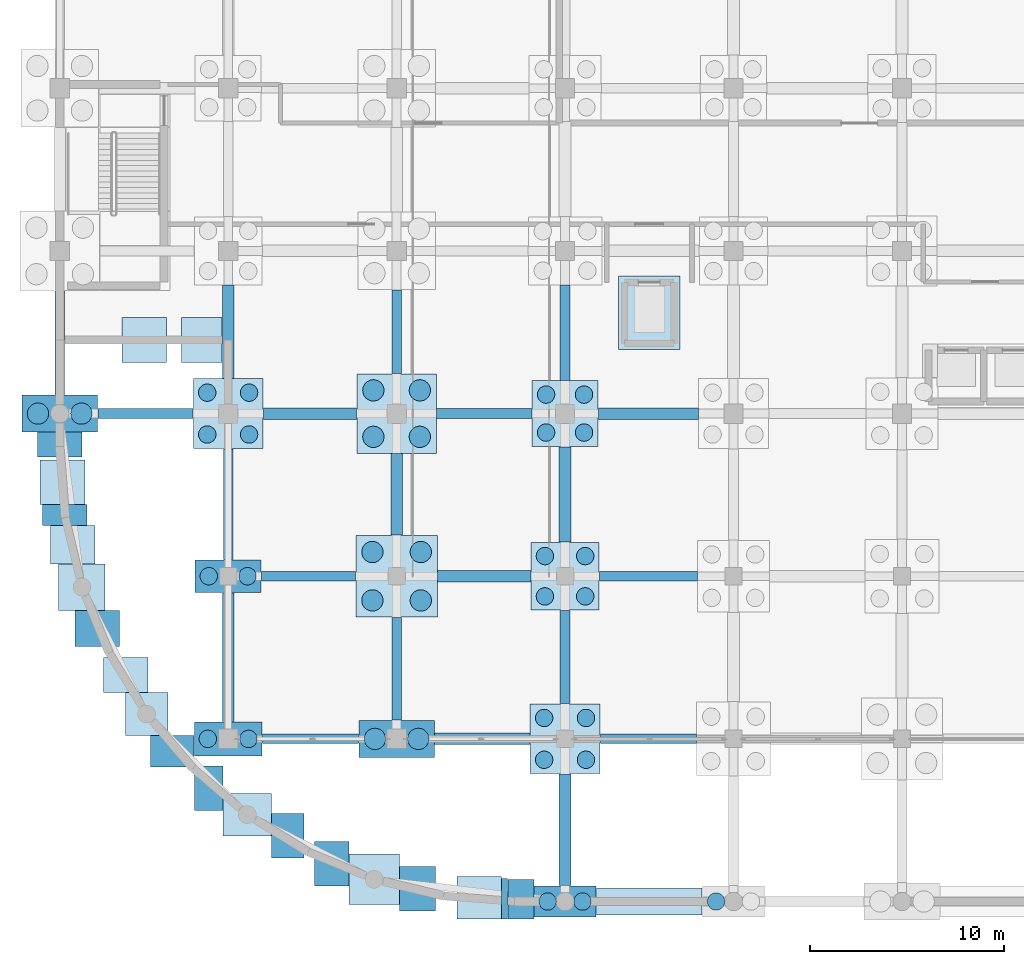
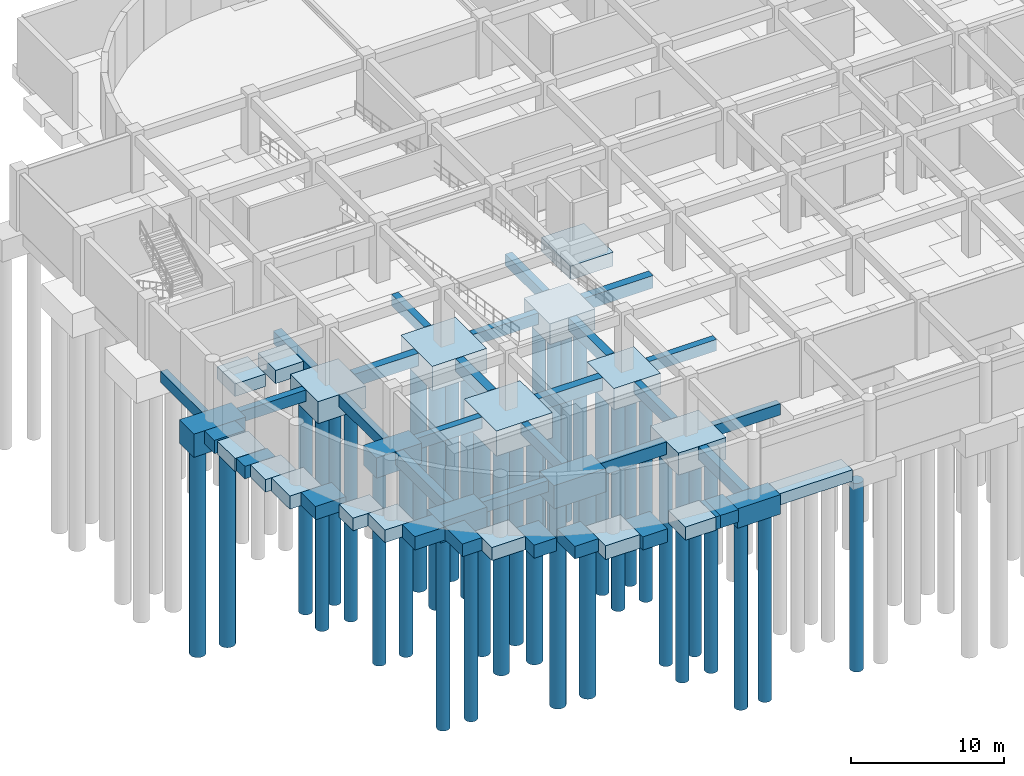
# One storey, part 1 of 33: 54 footings, 35 piles.
"""IFC4 building model written with IfcOpenShell, lengths in metres."""

from ifc_helpers import new_model, si_unit, derived_unit, direction, frame, origin, origin_2d, place, context, subcontext, project, spatial, rectangle, circle, extrude, material, material_profile, profile_set, type_object, element, save


model = new_model("IFC4")

# Units and contexts
model_context = context("Model", 3, precision=1e-05, world=origin(), true_north=direction((0.0, 1.0)))
body_context = subcontext(model_context, "Body", "Model", "MODEL_VIEW")
ifc_project = project(units=[si_unit("LENGTHUNIT", "METRE"), si_unit("AREAUNIT", "SQUARE_METRE"), si_unit("VOLUMEUNIT", "CUBIC_METRE"), si_unit("PLANEANGLEUNIT", "RADIAN"), si_unit("MASSUNIT", "GRAM", prefix="KILO"), derived_unit("THERMALTRANSMITTANCEUNIT", [(si_unit("MASSUNIT", "GRAM", prefix="KILO"), 1), (si_unit("TIMEUNIT", "SECOND"), -3), (si_unit("THERMODYNAMICTEMPERATUREUNIT", "KELVIN"), -1)])], contexts=[model_context])

# Site, building, storey
site_placement = place(None, origin())
site = spatial("IfcSite", under=ifc_project, at=site_placement, CompositionType="ELEMENT")
building_placement = place(site_placement, origin())
building = spatial("IfcBuilding", under=site, at=building_placement, Name="Qinzheling Arcade Emporium", CompositionType="ELEMENT")
storey_placement = place(building_placement, frame((0.0, 0.0, -9.60009765625)))
storey = spatial("IfcBuildingStorey", under=building, at=storey_placement, Name="B2", CompositionType="ELEMENT", Elevation=-9.60009765625)

# Footings
ifc_material = material(Name="Concrete C40", Category="concrete")
footing_type_1 = type_object("IfcFootingType", Name="Arcade Pad Footing 2400x2400x1050 C40", PredefinedType="PAD_FOOTING", material=ifc_material)
footing_1_placement = place(storey_placement, frame((1.14990234375, 16.238037109375, -1.0498046875), z_axis=(0.0, 0.0, 1.0), x_axis=(1.0, 0.0, 0.0)))
element("IfcFooting", 1, at=footing_1_placement, inside=storey, type_object=footing_type_1, Name="Curved Arcade Pad Footing FND-PF-CV-CV1-01", PredefinedType="PAD_FOOTING", context=body_context, shape_type="SweptSolid", body=[
    extrude(rectangle(XDim=2.39990234375, YDim=2.39990234375, at=origin_2d()), origin(), (0.0, 0.0, 1.0), 1.050048828125),
])
footing_2_placement = place(storey_placement, frame((21.662109375, 0.197021484375, -1.0498046875), z_axis=(0.0, 0.0, 1.0), x_axis=(1.0, 0.0, 0.0)))
element("IfcFooting", 2, at=footing_2_placement, inside=storey, type_object=footing_type_1, Name="Retaining Wall Pad Footing FND-PF-RW-009", PredefinedType="PAD_FOOTING", context=body_context, shape_type="SweptSolid", body=[
    extrude(rectangle(XDim=2.300048828125, YDim=2.194091796875, at=origin_2d()), origin(), (0.0, 0.0, 1.0), 1.050048828125),
])
footing_3_placement = place(storey_placement, frame((18.47900390625, 0.6640625, -1.0498046875), z_axis=(0.0, 0.0, 1.0), x_axis=(1.0, 0.0, 0.0)))
element("IfcFooting", 3, at=footing_3_placement, inside=storey, type_object=footing_type_1, Name="Retaining Wall Pad Footing FND-PF-RW-011", PredefinedType="PAD_FOOTING", context=body_context, shape_type="SweptSolid", body=[
    extrude(rectangle(XDim=1.868896484375, YDim=2.300048828125, at=origin_2d()), origin(), (0.0, 0.0, 1.0), 1.050048828125),
])
footing_4_placement = place(storey_placement, frame((11.777099609375, 3.39990234375, -1.0498046875), z_axis=(0.0, 0.0, 1.0), x_axis=(1.0, 0.0, 0.0)))
element("IfcFooting", 4, at=footing_4_placement, inside=storey, type_object=footing_type_1, Name="Retaining Wall Pad Footing FND-PF-RW-013", PredefinedType="PAD_FOOTING", context=body_context, shape_type="SweptSolid", body=[
    extrude(rectangle(XDim=1.6689453125, YDim=2.300048828125, at=origin_2d()), origin(), (0.0, 0.0, 1.0), 1.050048828125),
])
footing_5_placement = place(storey_placement, frame((5.81689453125, 7.76806640625, -1.0498046875), z_axis=(0.0, 0.0, 1.0), x_axis=(1.0, 0.0, 0.0)))
element("IfcFooting", 5, at=footing_5_placement, inside=storey, type_object=footing_type_1, Name="Retaining Wall Pad Footing FND-PF-RW-015", PredefinedType="PAD_FOOTING", context=body_context, shape_type="SweptSolid", body=[
    extrude(rectangle(XDim=2.2529296875, YDim=1.626953125, at=origin_2d()), origin(), (0.0, 0.0, 1.0), 1.050048828125),
])
footing_6_placement = place(storey_placement, frame((1.947021484375, 14.097900390625, -1.0498046875), z_axis=(0.0, 0.0, 1.0), x_axis=(1.0, 0.0, 0.0)))
element("IfcFooting", 6, at=footing_6_placement, inside=storey, type_object=footing_type_1, Name="Retaining Wall Pad Footing FND-PF-RW-017", PredefinedType="PAD_FOOTING", context=body_context, shape_type="SweptSolid", body=[
    extrude(rectangle(XDim=2.300048828125, YDim=1.867919921875, at=origin_2d()), origin(), (0.0, 0.0, 1.0), 1.050048828125),
])
footing_7_placement = place(storey_placement, frame((0.14501953125, 21.662109375, -1.0498046875), z_axis=(0.0, 0.0, 1.0), x_axis=(1.0, 0.0, 0.0)))
element("IfcFooting", 7, at=footing_7_placement, inside=storey, type_object=footing_type_1, Name="Retaining Wall Pad Footing FND-PF-RW-019", PredefinedType="PAD_FOOTING", context=body_context, shape_type="SweptSolid", body=[
    extrude(rectangle(XDim=2.299072265625, YDim=2.300048828125, at=origin_2d()), origin(), (0.0, 0.0, 1.0), 1.050048828125),
])
footing_8_placement = place(storey_placement, frame((0.0, 23.60302734375, -1.0498046875), z_axis=(0.0, 0.0, 1.0), x_axis=(1.0, 0.0, 0.0)))
element("IfcFooting", 8, at=footing_8_placement, inside=storey, type_object=footing_type_1, Name="Retaining Wall Pad Footing FND-PF-RW-021", PredefinedType="PAD_FOOTING", context=body_context, shape_type="SweptSolid", body=[
    extrude(rectangle(XDim=2.300048828125, YDim=1.281982421875, at=origin_2d()), origin(), (0.0, 0.0, 1.0), 1.050048828125),
])
footing_9_placement = place(storey_placement, frame((7.337890625, 29.0, -1.0498046875), z_axis=(0.0, 0.0, 1.0), x_axis=(1.0, 0.0, 0.0)))
element("IfcFooting", 9, at=footing_9_placement, inside=storey, type_object=footing_type_1, Name="Retaining Wall Pad Footing FND-PF-RW-077", PredefinedType="PAD_FOOTING", context=body_context, shape_type="SweptSolid", body=[
    extrude(rectangle(XDim=2.113037109375, YDim=2.300048828125, at=origin_2d()), origin(), (0.0, 0.0, 1.0), 1.050048828125),
])
footing_type_2 = type_object("IfcFootingType", Name="Canopy Pad Footing 2600x2600x1100 C40", PredefinedType="PAD_FOOTING", material=ifc_material)
footing_10_placement = place(storey_placement, frame((16.238037109375, 1.14990234375, -1.099853515625), z_axis=(0.0, 0.0, 1.0), x_axis=(1.0, 0.0, 0.0)))
element("IfcFooting", 10, at=footing_10_placement, inside=storey, type_object=footing_type_2, Name="Curved Arcade Pad Footing FND-PF-CV-CV1-04", PredefinedType="PAD_FOOTING", context=body_context, shape_type="SweptSolid", body=[
    extrude(rectangle(XDim=2.60009765625, YDim=2.60009765625, at=origin_2d()), origin(), (0.0, 0.0, 1.0), 1.10009765625),
])
footing_11_placement = place(storey_placement, frame((30.449951171875, 30.39990234375, -1.099853515625), z_axis=(0.0, 0.0, 1.0), x_axis=(1.0, 0.0, 0.0)))
element("IfcFooting", 11, at=footing_11_placement, inside=storey, type_object=footing_type_2, Name="Lift Pit Mat Pad FND-PF-LF-LF02", PredefinedType="PAD_FOOTING", context=body_context, shape_type="SweptSolid", body=[
    extrude(rectangle(XDim=3.196044921875, YDim=3.7958984375, at=origin_2d()), origin(), (0.0, 0.0, 1.0), 1.10009765625),
])
footing_type_3 = type_object("IfcFootingType", Name="Core Strip Footing 1400x900 C40", PredefinedType="STRIP_FOOTING", material=ifc_material)
footing_12_placement = place(storey_placement, frame((30.449951171875, 0.0, -0.89990234375), z_axis=(0.0, 0.0, 1.0), x_axis=(1.0, 0.0, 0.0)))
element("IfcFooting", 12, at=footing_12_placement, inside=storey, type_object=footing_type_3, Name="Foundation Tie FND-SF-001", PredefinedType="STRIP_FOOTING", context=body_context, shape_type="SweptSolid", body=[
    extrude(rectangle(XDim=5.4599609375, YDim=1.39990234375, at=origin_2d()), origin(), (0.0, 0.0, 1.0), 0.89990234375),
])
footing_type_4 = type_object("IfcFootingType", Name="Foundation Tie Beam 500x900 C40", PredefinedType="FOOTING_BEAM", material=ifc_material)
for number, where, z_axis, x_axis, name in (
    (13, (12.949951171875, 8.39990234375, -0.89990234375), (0.0, 0.0, 1.0), (1.0, 0.0, 0.0), "Foundation Tie FND-FB-005"),
    (14, (30.39990234375, 8.39990234375, -0.89990234375), (0.0, 0.0, 1.0), (1.0, 0.0, 0.0), "Foundation Tie FND-FB-007"),
):
    element("IfcFooting", number, at=place(storey_placement, frame(where, z_axis=z_axis, x_axis=x_axis)), inside=storey, type_object=footing_type_4, Name=name, PredefinedType="FOOTING_BEAM", context=body_context, shape_type="SweptSolid", body=[
        extrude(rectangle(XDim=4.9599609375, YDim=0.5, at=origin_2d()), origin(), (0.0, 0.0, 1.0), 0.89990234375),
    ])
footing_13_placement = place(storey_placement, frame((12.85009765625, 16.800048828125, -0.89990234375), z_axis=(0.0, 0.0, 1.0), x_axis=(1.0, 0.0, 0.0)))
element("IfcFooting", 15, at=footing_13_placement, inside=storey, type_object=footing_type_4, Name="Foundation Tie FND-FB-019", PredefinedType="FOOTING_BEAM", context=body_context, shape_type="SweptSolid", body=[
    extrude(rectangle(XDim=4.860107421875, YDim=0.5, at=origin_2d()), origin(), (0.0, 0.0, 1.0), 0.89990234375),
])
footing_14_placement = place(storey_placement, frame((30.39990234375, 16.800048828125, -0.89990234375), z_axis=(0.0, 0.0, 1.0), x_axis=(1.0, 0.0, 0.0)))
element("IfcFooting", 16, at=footing_14_placement, inside=storey, type_object=footing_type_4, Name="Foundation Tie FND-FB-021", PredefinedType="FOOTING_BEAM", context=body_context, shape_type="SweptSolid", body=[
    extrude(rectangle(XDim=5.06005859375, YDim=0.5, at=origin_2d()), origin(), (0.0, 0.0, 1.0), 0.89990234375),
])
for number, where, z_axis, x_axis, name in (
    (17, (4.425048828125, 25.199951171875, -0.89990234375), (0.0, 0.0, 1.0), (1.0, 0.0, 0.0), "Foundation Tie FND-FB-033"),
    (18, (21.925048828125, 25.199951171875, -0.89990234375), (0.0, 0.0, 1.0), (1.0, 0.0, 0.0), "Foundation Tie FND-FB-035"),
):
    element("IfcFooting", number, at=place(storey_placement, frame(where, z_axis=z_axis, x_axis=x_axis)), inside=storey, type_object=footing_type_4, Name=name, PredefinedType="FOOTING_BEAM", context=body_context, shape_type="SweptSolid", body=[
        extrude(rectangle(XDim=4.909912109375, YDim=0.5, at=origin_2d()), origin(), (0.0, 0.0, 1.0), 0.89990234375),
    ])
footing_15_placement = place(storey_placement, frame((0.0, 28.85009765625, -0.89990234375), z_axis=(0.0, 0.0, 1.0), x_axis=(1.0, 0.0, 0.0)))
element("IfcFooting", 19, at=footing_15_placement, inside=storey, type_object=footing_type_4, Name="Foundation Tie FND-FB-179", PredefinedType="FOOTING_BEAM", context=body_context, shape_type="SweptSolid", body=[
    extrude(rectangle(XDim=0.5, YDim=5.360107421875, at=origin_2d()), origin(), (0.0, 0.0, 1.0), 0.89990234375),
])
footing_16_placement = place(storey_placement, frame((8.699951171875, 20.52490234375, -0.89990234375), z_axis=(0.0, 0.0, 1.0), x_axis=(1.0, 0.0, 0.0)))
element("IfcFooting", 20, at=footing_16_placement, inside=storey, type_object=footing_type_4, Name="Foundation Tie FND-FB-183", PredefinedType="FOOTING_BEAM", context=body_context, shape_type="SweptSolid", body=[
    extrude(rectangle(XDim=0.5, YDim=5.7099609375, at=origin_2d()), origin(), (0.0, 0.0, 1.0), 0.89990234375),
])
footing_17_placement = place(storey_placement, frame((17.39990234375, 12.02490234375, -0.89990234375), z_axis=(0.0, 0.0, 1.0), x_axis=(1.0, 0.0, 0.0)))
element("IfcFooting", 21, at=footing_17_placement, inside=storey, type_object=footing_type_4, Name="Foundation Tie FND-FB-187", PredefinedType="FOOTING_BEAM", context=body_context, shape_type="SweptSolid", body=[
    extrude(rectangle(XDim=0.5, YDim=5.31005859375, at=origin_2d()), origin(), (0.0, 0.0, 1.0), 0.89990234375),
])
footing_18_placement = place(storey_placement, frame((17.39990234375, 29.425048828125, -0.89990234375), z_axis=(0.0, 0.0, 1.0), x_axis=(1.0, 0.0, 0.0)))
element("IfcFooting", 22, at=footing_18_placement, inside=storey, type_object=footing_type_4, Name="Foundation Tie FND-FB-189", PredefinedType="FOOTING_BEAM", context=body_context, shape_type="SweptSolid", body=[
    extrude(rectangle(XDim=0.5, YDim=4.31005859375, at=origin_2d()), origin(), (0.0, 0.0, 1.0), 0.89990234375),
])
footing_19_placement = place(storey_placement, frame((26.10009765625, 12.625, -0.89990234375), z_axis=(0.0, 0.0, 1.0), x_axis=(1.0, 0.0, 0.0)))
element("IfcFooting", 23, at=footing_19_placement, inside=storey, type_object=footing_type_4, Name="Foundation Tie FND-FB-193", PredefinedType="FOOTING_BEAM", context=body_context, shape_type="SweptSolid", body=[
    extrude(rectangle(XDim=0.5, YDim=4.81005859375, at=origin_2d()), origin(), (0.0, 0.0, 1.0), 0.89990234375),
])
footing_20_placement = place(storey_placement, frame((26.10009765625, 29.375, -0.89990234375), z_axis=(0.0, 0.0, 1.0), x_axis=(1.0, 0.0, 0.0)))
element("IfcFooting", 24, at=footing_20_placement, inside=storey, type_object=footing_type_4, Name="Foundation Tie FND-FB-195", PredefinedType="FOOTING_BEAM", context=body_context, shape_type="SweptSolid", body=[
    extrude(rectangle(XDim=0.5, YDim=4.909912109375, at=origin_2d()), origin(), (0.0, 0.0, 1.0), 0.89990234375),
])
footing_type_5 = type_object("IfcFootingType", Name="Foundation Tie Beam 600x1000 C40", PredefinedType="FOOTING_BEAM", material=ifc_material)
footing_21_placement = place(storey_placement, frame((21.824951171875, 8.39990234375, -1.0), z_axis=(0.0, 0.0, 1.0), x_axis=(1.0, 0.0, 0.0)))
element("IfcFooting", 25, at=footing_21_placement, inside=storey, type_object=footing_type_5, Name="Foundation Tie FND-FB-006", PredefinedType="FOOTING_BEAM", context=body_context, shape_type="SweptSolid", body=[
    extrude(rectangle(XDim=4.909912109375, YDim=0.60009765625, at=origin_2d()), origin(), (0.0, 0.0, 1.0), 1.0),
])
for number, where, z_axis, x_axis, name in (
    (26, (21.925048828125, 16.800048828125, -1.0), (0.0, 0.0, 1.0), (1.0, 0.0, 0.0), "Foundation Tie FND-FB-020"),
    (27, (12.925048828125, 25.199951171875, -1.0), (0.0, 0.0, 1.0), (1.0, 0.0, 0.0), "Foundation Tie FND-FB-034"),
):
    element("IfcFooting", number, at=place(storey_placement, frame(where, z_axis=z_axis, x_axis=x_axis)), inside=storey, type_object=footing_type_5, Name=name, PredefinedType="FOOTING_BEAM", context=body_context, shape_type="SweptSolid", body=[
        extrude(rectangle(XDim=4.81005859375, YDim=0.60009765625, at=origin_2d()), origin(), (0.0, 0.0, 1.0), 1.0),
    ])
footing_22_placement = place(storey_placement, frame((30.39990234375, 25.199951171875, -1.0), z_axis=(0.0, 0.0, 1.0), x_axis=(1.0, 0.0, 0.0)))
element("IfcFooting", 28, at=footing_22_placement, inside=storey, type_object=footing_type_5, Name="Foundation Tie FND-FB-036", PredefinedType="FOOTING_BEAM", context=body_context, shape_type="SweptSolid", body=[
    extrude(rectangle(XDim=5.159912109375, YDim=0.60009765625, at=origin_2d()), origin(), (0.0, 0.0, 1.0), 1.0),
])
footing_23_placement = place(storey_placement, frame((8.699951171875, 12.613037109375, -1.0), z_axis=(0.0, 0.0, 1.0), x_axis=(1.0, 0.0, 0.0)))
element("IfcFooting", 29, at=footing_23_placement, inside=storey, type_object=footing_type_5, Name="Foundation Tie FND-FB-182", PredefinedType="FOOTING_BEAM", context=body_context, shape_type="SweptSolid", body=[
    extrude(rectangle(XDim=0.60009765625, YDim=6.635009765625, at=origin_2d()), origin(), (0.0, 0.0, 1.0), 1.0),
])
footing_24_placement = place(storey_placement, frame((8.699951171875, 29.425048828125, -1.0), z_axis=(0.0, 0.0, 1.0), x_axis=(1.0, 0.0, 0.0)))
element("IfcFooting", 30, at=footing_24_placement, inside=storey, type_object=footing_type_5, Name="Foundation Tie FND-FB-184", PredefinedType="FOOTING_BEAM", context=body_context, shape_type="SweptSolid", body=[
    extrude(rectangle(XDim=0.60009765625, YDim=4.81005859375, at=origin_2d()), origin(), (0.0, 0.0, 1.0), 1.0),
])
footing_25_placement = place(storey_placement, frame((17.39990234375, 21.02490234375, -1.0), z_axis=(0.0, 0.0, 1.0), x_axis=(1.0, 0.0, 0.0)))
element("IfcFooting", 31, at=footing_25_placement, inside=storey, type_object=footing_type_5, Name="Foundation Tie FND-FB-188", PredefinedType="FOOTING_BEAM", context=body_context, shape_type="SweptSolid", body=[
    extrude(rectangle(XDim=0.60009765625, YDim=4.2099609375, at=origin_2d()), origin(), (0.0, 0.0, 1.0), 1.0),
])
footing_26_placement = place(storey_placement, frame((26.10009765625, 3.699951171875, -1.0), z_axis=(0.0, 0.0, 1.0), x_axis=(1.0, 0.0, 0.0)))
element("IfcFooting", 32, at=footing_26_placement, inside=storey, type_object=footing_type_5, Name="Foundation Tie FND-FB-192", PredefinedType="FOOTING_BEAM", context=body_context, shape_type="SweptSolid", body=[
    extrude(rectangle(XDim=0.60009765625, YDim=5.760009765625, at=origin_2d()), origin(), (0.0, 0.0, 1.0), 1.0),
])
footing_27_placement = place(storey_placement, frame((26.10009765625, 21.02490234375, -1.0), z_axis=(0.0, 0.0, 1.0), x_axis=(1.0, 0.0, 0.0)))
element("IfcFooting", 33, at=footing_27_placement, inside=storey, type_object=footing_type_5, Name="Foundation Tie FND-FB-194", PredefinedType="FOOTING_BEAM", context=body_context, shape_type="SweptSolid", body=[
    extrude(rectangle(XDim=0.60009765625, YDim=4.909912109375, at=origin_2d()), origin(), (0.0, 0.0, 1.0), 1.0),
])
footing_type_6 = type_object("IfcFootingType", Name="Four-Pile Core Cap 4100x4100x1950 C40", PredefinedType="PILE_CAP", material=ifc_material)
footing_28_placement = place(storey_placement, frame((17.39990234375, 25.199951171875, -1.94970703125), z_axis=(0.0, 0.0, 1.0), x_axis=(1.0, 0.0, 0.0)))
element("IfcFooting", 34, at=footing_28_placement, inside=storey, type_object=footing_type_6, Name="Pile Cap FND-PC-013", PredefinedType="PILE_CAP", context=body_context, shape_type="SweptSolid", body=[
    extrude(rectangle(XDim=4.10009765625, YDim=4.10009765625, at=origin_2d()), origin(), (0.0, 0.0, 1.0), 1.949951171875),
])
footing_type_7 = type_object("IfcFootingType", Name="Four-Pile Frame Cap 3600x3600x1750 C40", PredefinedType="PILE_CAP", material=ifc_material)
for number, where, z_axis, x_axis, name in (
    (35, (8.699951171875, 25.199951171875, -1.75), (0.0, 0.0, 1.0), (1.0, 0.0, 0.0), "Pile Cap FND-PC-007"),
    (36, (26.10009765625, 8.39990234375, -1.75), (0.0, 0.0, 1.0), (1.0, 0.0, 0.0), "Pile Cap FND-PC-018"),
):
    element("IfcFooting", number, at=place(storey_placement, frame(where, z_axis=z_axis, x_axis=x_axis)), inside=storey, type_object=footing_type_7, Name=name, PredefinedType="PILE_CAP", context=body_context, shape_type="SweptSolid", body=[
        extrude(rectangle(XDim=3.60009765625, YDim=3.60009765625, at=origin_2d()), origin(), (0.0, 0.0, 1.0), 1.75),
    ])
footing_type_8 = type_object("IfcFootingType", Name="Four-Pile Gallery Cap 3500x3500x1700 C40", PredefinedType="PILE_CAP", material=ifc_material)
footing_29_placement = place(storey_placement, frame((26.10009765625, 16.800048828125, -1.69970703125), z_axis=(0.0, 0.0, 1.0), x_axis=(1.0, 0.0, 0.0)))
element("IfcFooting", 37, at=footing_29_placement, inside=storey, type_object=footing_type_8, Name="Pile Cap FND-PC-019", PredefinedType="PILE_CAP", context=body_context, shape_type="SweptSolid", body=[
    extrude(rectangle(XDim=3.5, YDim=3.5, at=origin_2d()), origin(), (0.0, 0.0, 1.0), 1.699951171875),
])
footing_type_9 = type_object("IfcFootingType", Name="Four-Pile Heavy Cap 4200x4200x2000 C40", PredefinedType="PILE_CAP", material=ifc_material)
footing_30_placement = place(storey_placement, frame((17.39990234375, 16.800048828125, -2.0), z_axis=(0.0, 0.0, 1.0), x_axis=(1.0, 0.0, 0.0)))
element("IfcFooting", 38, at=footing_30_placement, inside=storey, type_object=footing_type_9, Name="Pile Cap FND-PC-012", PredefinedType="PILE_CAP", context=body_context, shape_type="SweptSolid", body=[
    extrude(rectangle(XDim=4.199951171875, YDim=4.199951171875, at=origin_2d()), origin(), (0.0, 0.0, 1.0), 2.0),
])
footing_type_10 = type_object("IfcFootingType", Name="Four-Pile Wing Cap 3400x3400x1650 C40", PredefinedType="PILE_CAP", material=ifc_material)
footing_31_placement = place(storey_placement, frame((26.10009765625, 25.199951171875, -1.64990234375), z_axis=(0.0, 0.0, 1.0), x_axis=(1.0, 0.0, 0.0)))
element("IfcFooting", 39, at=footing_31_placement, inside=storey, type_object=footing_type_10, Name="Pile Cap FND-PC-020", PredefinedType="PILE_CAP", context=body_context, shape_type="SweptSolid", body=[
    extrude(rectangle(XDim=3.39990234375, YDim=3.39990234375, at=origin_2d()), origin(), (0.0, 0.0, 1.0), 1.64990234375),
])
footing_type_11 = type_object("IfcFootingType", Name="Loggia Pad Footing 2200x2200x1000 C40", PredefinedType="PAD_FOOTING", material=ifc_material)
footing_32_placement = place(storey_placement, frame((4.488037109375, 9.68701171875, -1.0), z_axis=(0.0, 0.0, 1.0), x_axis=(1.0, 0.0, 0.0)))
element("IfcFooting", 40, at=footing_32_placement, inside=storey, type_object=footing_type_11, Name="Curved Arcade Pad Footing FND-PF-CV-CV1-02", PredefinedType="PAD_FOOTING", context=body_context, shape_type="SweptSolid", body=[
    extrude(rectangle(XDim=2.199951171875, YDim=2.199951171875, at=origin_2d()), origin(), (0.0, 0.0, 1.0), 1.0),
])
footing_33_placement = place(storey_placement, frame((23.820068359375, 0.125, -1.0), z_axis=(0.0, 0.0, 1.0), x_axis=(1.0, 0.0, 0.0)))
element("IfcFooting", 41, at=footing_33_placement, inside=storey, type_object=footing_type_11, Name="Retaining Wall Pad Footing FND-PF-RW-008", PredefinedType="PAD_FOOTING", context=body_context, shape_type="SweptSolid", body=[
    extrude(rectangle(XDim=1.347900390625, YDim=2.050048828125, at=origin_2d()), origin(), (0.0, 0.0, 1.0), 1.0),
])
footing_34_placement = place(storey_placement, frame((22.97900390625, 0.14306640625, -1.0), z_axis=(0.0, 0.0, 1.0), x_axis=(1.0, 0.0, 0.0)))
element("IfcFooting", 42, at=footing_34_placement, inside=storey, type_object=footing_type_11, Name="Retaining Wall Pad Footing FND-PF-RW-010", PredefinedType="PAD_FOOTING", context=body_context, shape_type="SweptSolid", body=[
    extrude(rectangle(XDim=0.322021484375, YDim=2.0859375, at=origin_2d()), origin(), (0.0, 0.0, 1.0), 1.0),
])
footing_35_placement = place(storey_placement, frame((14.048095703125, 1.947021484375, -1.0), z_axis=(0.0, 0.0, 1.0), x_axis=(1.0, 0.0, 0.0)))
element("IfcFooting", 43, at=footing_35_placement, inside=storey, type_object=footing_type_11, Name="Retaining Wall Pad Footing FND-PF-RW-012", PredefinedType="PAD_FOOTING", context=body_context, shape_type="SweptSolid", body=[
    extrude(rectangle(XDim=1.76806640625, YDim=2.300048828125, at=origin_2d()), origin(), (0.0, 0.0, 1.0), 1.0),
])
footing_36_placement = place(storey_placement, frame((7.69189453125, 5.841064453125, -1.0), z_axis=(0.0, 0.0, 1.0), x_axis=(1.0, 0.0, 0.0)))
element("IfcFooting", 44, at=footing_36_placement, inside=storey, type_object=footing_type_11, Name="Retaining Wall Pad Footing FND-PF-RW-014", PredefinedType="PAD_FOOTING", context=body_context, shape_type="SweptSolid", body=[
    extrude(rectangle(XDim=1.47705078125, YDim=2.300048828125, at=origin_2d()), origin(), (0.0, 0.0, 1.0), 1.0),
])
footing_37_placement = place(storey_placement, frame((3.39990234375, 11.702880859375, -1.0), z_axis=(0.0, 0.0, 1.0), x_axis=(1.0, 0.0, 0.0)))
element("IfcFooting", 45, at=footing_37_placement, inside=storey, type_object=footing_type_11, Name="Retaining Wall Pad Footing FND-PF-RW-016", PredefinedType="PAD_FOOTING", context=body_context, shape_type="SweptSolid", body=[
    extrude(rectangle(XDim=2.300048828125, YDim=1.819091796875, at=origin_2d()), origin(), (0.0, 0.0, 1.0), 1.0),
])
footing_38_placement = place(storey_placement, frame((0.6640625, 18.427978515625, -1.0), z_axis=(0.0, 0.0, 1.0), x_axis=(1.0, 0.0, 0.0)))
element("IfcFooting", 46, at=footing_38_placement, inside=storey, type_object=footing_type_11, Name="Retaining Wall Pad Footing FND-PF-RW-018", PredefinedType="PAD_FOOTING", context=body_context, shape_type="SweptSolid", body=[
    extrude(rectangle(XDim=2.300048828125, YDim=1.968994140625, at=origin_2d()), origin(), (0.0, 0.0, 1.0), 1.0),
])
footing_39_placement = place(storey_placement, frame((0.2529296875, 19.9619140625, -1.0), z_axis=(0.0, 0.0, 1.0), x_axis=(1.0, 0.0, 0.0)))
element("IfcFooting", 47, at=footing_39_placement, inside=storey, type_object=footing_type_11, Name="Retaining Wall Pad Footing FND-PF-RW-020", PredefinedType="PAD_FOOTING", context=body_context, shape_type="SweptSolid", body=[
    extrude(rectangle(XDim=2.300048828125, YDim=1.0869140625, at=origin_2d()), origin(), (0.0, 0.0, 1.0), 1.0),
])
footing_40_placement = place(storey_placement, frame((4.360107421875, 29.0, -1.0), z_axis=(0.0, 0.0, 1.0), x_axis=(1.0, 0.0, 0.0)))
element("IfcFooting", 48, at=footing_40_placement, inside=storey, type_object=footing_type_11, Name="Retaining Wall Pad Footing FND-PF-RW-076", PredefinedType="PAD_FOOTING", context=body_context, shape_type="SweptSolid", body=[
    extrude(rectangle(XDim=2.300048828125, YDim=2.300048828125, at=origin_2d()), origin(), (0.0, 0.0, 1.0), 1.0),
])
footing_type_12 = type_object("IfcFootingType", Name="Pavilion Pad Footing 2500x2200x1050 C40", PredefinedType="PAD_FOOTING", material=ifc_material)
footing_41_placement = place(storey_placement, frame((9.68701171875, 4.488037109375, -1.0498046875), z_axis=(0.0, 0.0, 1.0), x_axis=(1.0, 0.0, 0.0)))
element("IfcFooting", 49, at=footing_41_placement, inside=storey, type_object=footing_type_12, Name="Curved Arcade Pad Footing FND-PF-CV-CV1-03", PredefinedType="PAD_FOOTING", context=body_context, shape_type="SweptSolid", body=[
    extrude(rectangle(XDim=2.5, YDim=2.199951171875, at=origin_2d()), origin(), (0.0, 0.0, 1.0), 1.050048828125),
])

# Piles
ifc_material_profile_1 = material_profile(ifc_material, circle(Radius=0.550048828125, at=origin_2d()), Name="BORED D1100", Category="concrete")
ifc_profile_set_1 = profile_set([ifc_material_profile_1], Name="Concrete C40")
pile_type_1 = type_object("IfcPileType", Name="Rotary Bored Pile D1100 C40", PredefinedType="BORED", material=ifc_profile_set_1)
for number, where, z_axis, x_axis, name in (
    (50, (-1.1201171875, 25.199951171875, -1.75), (0.0, 0.0, -1.0), (1.0, 0.0, 0.0), "Bored Pile FND-PL-0001"),
    (51, (1.1201171875, 25.199951171875, -1.75), (0.0, 0.0, -1.0), (1.0, 0.0, 0.0), "Bored Pile FND-PL-0002"),
    (52, (16.280029296875, 8.39990234375, -1.75), (0.0, 0.0, -1.0), (1.0, 0.0, 0.0), "Bored Pile FND-PL-0031"),
    (53, (18.52001953125, 8.39990234375, -1.75), (0.0, 0.0, -1.0), (1.0, 0.0, 0.0), "Bored Pile FND-PL-0032"),
):
    element("IfcPile", number, at=place(storey_placement, frame(where, z_axis=z_axis, x_axis=x_axis)), inside=storey, type_object=pile_type_1, Name=name, PredefinedType="BORED", context=body_context, shape_type="SweptSolid", body=[
        extrude(circle(Radius=0.550048828125, at=origin_2d()), origin(), (0.0, 0.0, 1.0), 16.5),
    ])
for number, where, z_axis, x_axis, name in (
    (54, (16.14990234375, 15.550048828125, -1.89990234375), (0.0, 0.0, -1.0), (1.0, 0.0, 0.0), "Bored Pile FND-PL-0033"),
    (55, (18.64990234375, 15.550048828125, -1.89990234375), (0.0, 0.0, -1.0), (1.0, 0.0, 0.0), "Bored Pile FND-PL-0034"),
    (56, (16.14990234375, 18.050048828125, -1.89990234375), (0.0, 0.0, -1.0), (1.0, 0.0, 0.0), "Bored Pile FND-PL-0035"),
    (57, (18.64990234375, 18.050048828125, -1.89990234375), (0.0, 0.0, -1.0), (1.0, 0.0, 0.0), "Bored Pile FND-PL-0036"),
    (58, (16.199951171875, 24.0, -1.849853515625), (0.0, 0.0, -1.0), (1.0, 0.0, 0.0), "Bored Pile FND-PL-0037"),
    (59, (18.60009765625, 24.0, -1.849853515625), (0.0, 0.0, -1.0), (1.0, 0.0, 0.0), "Bored Pile FND-PL-0038"),
    (60, (16.199951171875, 26.39990234375, -1.849853515625), (0.0, 0.0, -1.0), (1.0, 0.0, 0.0), "Bored Pile FND-PL-0039"),
    (61, (18.60009765625, 26.39990234375, -1.849853515625), (0.0, 0.0, -1.0), (1.0, 0.0, 0.0), "Bored Pile FND-PL-0040"),
):
    element("IfcPile", number, at=place(storey_placement, frame(where, z_axis=z_axis, x_axis=x_axis)), inside=storey, type_object=pile_type_1, Name=name, PredefinedType="BORED", context=body_context, shape_type="SweptSolid", body=[
        extrude(circle(Radius=0.550048828125, at=origin_2d()), origin(), (0.0, 0.0, 1.0), 18.0),
    ])
ifc_material_profile_2 = material_profile(ifc_material, circle(Radius=0.449951171875, at=origin_2d()), Name="BORED D900", Category="concrete")
ifc_profile_set_2 = profile_set([ifc_material_profile_2], Name="Concrete C40")
pile_type_2 = type_object("IfcPileType", Name="Rotary Bored Pile D900 C40", PredefinedType="BORED", material=ifc_profile_set_2)
for number, where, z_axis, x_axis, name in (
    (62, (7.64990234375, 8.39990234375, -1.5498046875), (0.0, 0.0, -1.0), (1.0, 0.0, 0.0), "Bored Pile FND-PL-0013"),
    (63, (9.75, 8.39990234375, -1.5498046875), (0.0, 0.0, -1.0), (1.0, 0.0, 0.0), "Bored Pile FND-PL-0014"),
    (64, (7.699951171875, 16.800048828125, -1.5), (0.0, 0.0, -1.0), (1.0, 0.0, 0.0), "Bored Pile FND-PL-0015"),
    (65, (9.699951171875, 16.800048828125, -1.5), (0.0, 0.0, -1.0), (1.0, 0.0, 0.0), "Bored Pile FND-PL-0016"),
):
    element("IfcPile", number, at=place(storey_placement, frame(where, z_axis=z_axis, x_axis=x_axis)), inside=storey, type_object=pile_type_2, Name=name, PredefinedType="BORED", context=body_context, shape_type="SweptSolid", body=[
        extrude(circle(Radius=0.449951171875, at=origin_2d()), origin(), (0.0, 0.0, 1.0), 15.5),
    ])
for number, where, z_axis, x_axis, name in (
    (66, (7.6201171875, 24.1201171875, -1.64990234375), (0.0, 0.0, -1.0), (1.0, 0.0, 0.0), "Bored Pile FND-PL-0017"),
    (67, (9.780029296875, 24.1201171875, -1.64990234375), (0.0, 0.0, -1.0), (1.0, 0.0, 0.0), "Bored Pile FND-PL-0018"),
    (68, (7.6201171875, 26.280029296875, -1.64990234375), (0.0, 0.0, -1.0), (1.0, 0.0, 0.0), "Bored Pile FND-PL-0019"),
    (69, (9.780029296875, 26.280029296875, -1.64990234375), (0.0, 0.0, -1.0), (1.0, 0.0, 0.0), "Bored Pile FND-PL-0020"),
):
    element("IfcPile", number, at=place(storey_placement, frame(where, z_axis=z_axis, x_axis=x_axis)), inside=storey, type_object=pile_type_2, Name=name, PredefinedType="BORED", context=body_context, shape_type="SweptSolid", body=[
        extrude(circle(Radius=0.449951171875, at=origin_2d()), origin(), (0.0, 0.0, 1.0), 17.0),
    ])
for number, where, z_axis, x_axis, name in (
    (70, (25.199951171875, 0.0, -1.449951171875), (0.0, 0.0, -1.0), (1.0, 0.0, 0.0), "Bored Pile FND-PL-0051"),
    (71, (27.0, 0.0, -1.449951171875), (0.0, 0.0, -1.0), (1.0, 0.0, 0.0), "Bored Pile FND-PL-0052"),
):
    element("IfcPile", number, at=place(storey_placement, frame(where, z_axis=z_axis, x_axis=x_axis)), inside=storey, type_object=pile_type_2, Name=name, PredefinedType="BORED", context=body_context, shape_type="SweptSolid", body=[
        extrude(circle(Radius=0.449951171875, at=origin_2d()), origin(), (0.0, 0.0, 1.0), 15.0),
    ])
for number, where, z_axis, x_axis, name in (
    (72, (25.02001953125, 7.320068359375, -1.64990234375), (0.0, 0.0, -1.0), (1.0, 0.0, 0.0), "Bored Pile FND-PL-0053"),
    (73, (27.179931640625, 7.320068359375, -1.64990234375), (0.0, 0.0, -1.0), (1.0, 0.0, 0.0), "Bored Pile FND-PL-0054"),
    (74, (25.02001953125, 9.47998046875, -1.64990234375), (0.0, 0.0, -1.0), (1.0, 0.0, 0.0), "Bored Pile FND-PL-0055"),
    (75, (27.179931640625, 9.47998046875, -1.64990234375), (0.0, 0.0, -1.0), (1.0, 0.0, 0.0), "Bored Pile FND-PL-0056"),
):
    element("IfcPile", number, at=place(storey_placement, frame(where, z_axis=z_axis, x_axis=x_axis)), inside=storey, type_object=pile_type_2, Name=name, PredefinedType="BORED", context=body_context, shape_type="SweptSolid", body=[
        extrude(circle(Radius=0.449951171875, at=origin_2d()), origin(), (0.0, 0.0, 1.0), 17.0),
    ])
for number, where, z_axis, x_axis, name in (
    (76, (25.06005859375, 15.760009765625, -1.599853515625), (0.0, 0.0, -1.0), (1.0, 0.0, 0.0), "Bored Pile FND-PL-0057"),
    (77, (27.139892578125, 15.760009765625, -1.599853515625), (0.0, 0.0, -1.0), (1.0, 0.0, 0.0), "Bored Pile FND-PL-0058"),
    (78, (25.06005859375, 17.840087890625, -1.599853515625), (0.0, 0.0, -1.0), (1.0, 0.0, 0.0), "Bored Pile FND-PL-0059"),
    (79, (27.139892578125, 17.840087890625, -1.599853515625), (0.0, 0.0, -1.0), (1.0, 0.0, 0.0), "Bored Pile FND-PL-0060"),
    (80, (25.1201171875, 24.219970703125, -1.5498046875), (0.0, 0.0, -1.0), (1.0, 0.0, 0.0), "Bored Pile FND-PL-0061"),
    (81, (27.080078125, 24.219970703125, -1.5498046875), (0.0, 0.0, -1.0), (1.0, 0.0, 0.0), "Bored Pile FND-PL-0062"),
    (82, (25.1201171875, 26.179931640625, -1.5498046875), (0.0, 0.0, -1.0), (1.0, 0.0, 0.0), "Bored Pile FND-PL-0063"),
    (83, (27.080078125, 26.179931640625, -1.5498046875), (0.0, 0.0, -1.0), (1.0, 0.0, 0.0), "Bored Pile FND-PL-0064"),
):
    element("IfcPile", number, at=place(storey_placement, frame(where, z_axis=z_axis, x_axis=x_axis)), inside=storey, type_object=pile_type_2, Name=name, PredefinedType="BORED", context=body_context, shape_type="SweptSolid", body=[
        extrude(circle(Radius=0.449951171875, at=origin_2d()), origin(), (0.0, 0.0, 1.0), 16.5),
    ])
pile_placement = place(storey_placement, frame((33.89990234375, 0.0, -1.449951171875), z_axis=(0.0, 0.0, -1.0), x_axis=(1.0, 0.0, 0.0)))
element("IfcPile", 84, at=pile_placement, inside=storey, type_object=pile_type_2, Name="Bored Pile FND-PL-0079", PredefinedType="BORED", context=body_context, shape_type="SweptSolid", body=[
    extrude(circle(Radius=0.449951171875, at=origin_2d()), origin(), (0.0, 0.0, 1.0), 15.0),
])

# Footings
footing_type_13 = type_object("IfcFootingType", Name="Two-Pile Edge Cap 3400x1700x1600 C40", PredefinedType="PILE_CAP", material=ifc_material)
footing_42_placement = place(storey_placement, frame((8.699951171875, 16.800048828125, -1.599853515625), z_axis=(0.0, 0.0, 1.0), x_axis=(1.0, 0.0, 0.0)))
element("IfcFooting", 85, at=footing_42_placement, inside=storey, type_object=footing_type_13, Name="Pile Cap FND-PC-006", PredefinedType="PILE_CAP", context=body_context, shape_type="SweptSolid", body=[
    extrude(rectangle(XDim=3.39990234375, YDim=1.699951171875, at=origin_2d()), origin(), (0.0, 0.0, 1.0), 1.60009765625),
])
footing_type_14 = type_object("IfcFootingType", Name="Two-Pile Heavy Cap 3900x1900x1850 C40", PredefinedType="PILE_CAP", material=ifc_material)
for number, where, z_axis, x_axis, name in (
    (86, (0.0, 25.199951171875, -1.849853515625), (0.0, 0.0, 1.0), (1.0, 0.0, 0.0), "Pile Cap FND-PC-001"),
    (87, (17.39990234375, 8.39990234375, -1.849853515625), (0.0, 0.0, 1.0), (1.0, 0.0, 0.0), "Pile Cap FND-PC-011"),
):
    element("IfcFooting", number, at=place(storey_placement, frame(where, z_axis=z_axis, x_axis=x_axis)), inside=storey, type_object=footing_type_14, Name=name, PredefinedType="PILE_CAP", context=body_context, shape_type="SweptSolid", body=[
        extrude(rectangle(XDim=3.89990234375, YDim=1.89990234375, at=origin_2d()), origin(), (0.0, 0.0, 1.0), 1.85009765625),
    ])
footing_type_15 = type_object("IfcFootingType", Name="Two-Pile Pier Cap 3200x1600x1550 C40", PredefinedType="PILE_CAP", material=ifc_material)
footing_43_placement = place(storey_placement, frame((26.10009765625, 0.0, -1.5498046875), z_axis=(0.0, 0.0, 1.0), x_axis=(1.0, 0.0, 0.0)))
element("IfcFooting", 88, at=footing_43_placement, inside=storey, type_object=footing_type_15, Name="Pile Cap FND-PC-017", PredefinedType="PILE_CAP", context=body_context, shape_type="SweptSolid", body=[
    extrude(rectangle(XDim=3.199951171875, YDim=1.60009765625, at=origin_2d()), origin(), (0.0, 0.0, 1.0), 1.550048828125),
])
footing_type_16 = type_object("IfcFootingType", Name="Two-Pile Spandrel Cap 3500x1750x1650 C40", PredefinedType="PILE_CAP", material=ifc_material)
footing_44_placement = place(storey_placement, frame((8.699951171875, 8.39990234375, -1.64990234375), z_axis=(0.0, 0.0, 1.0), x_axis=(1.0, 0.0, 0.0)))
element("IfcFooting", 89, at=footing_44_placement, inside=storey, type_object=footing_type_16, Name="Pile Cap FND-PC-005", PredefinedType="PILE_CAP", context=body_context, shape_type="SweptSolid", body=[
    extrude(rectangle(XDim=3.5, YDim=1.75, at=origin_2d()), origin(), (0.0, 0.0, 1.0), 1.64990234375),
])

save(model, "model.ifc")
